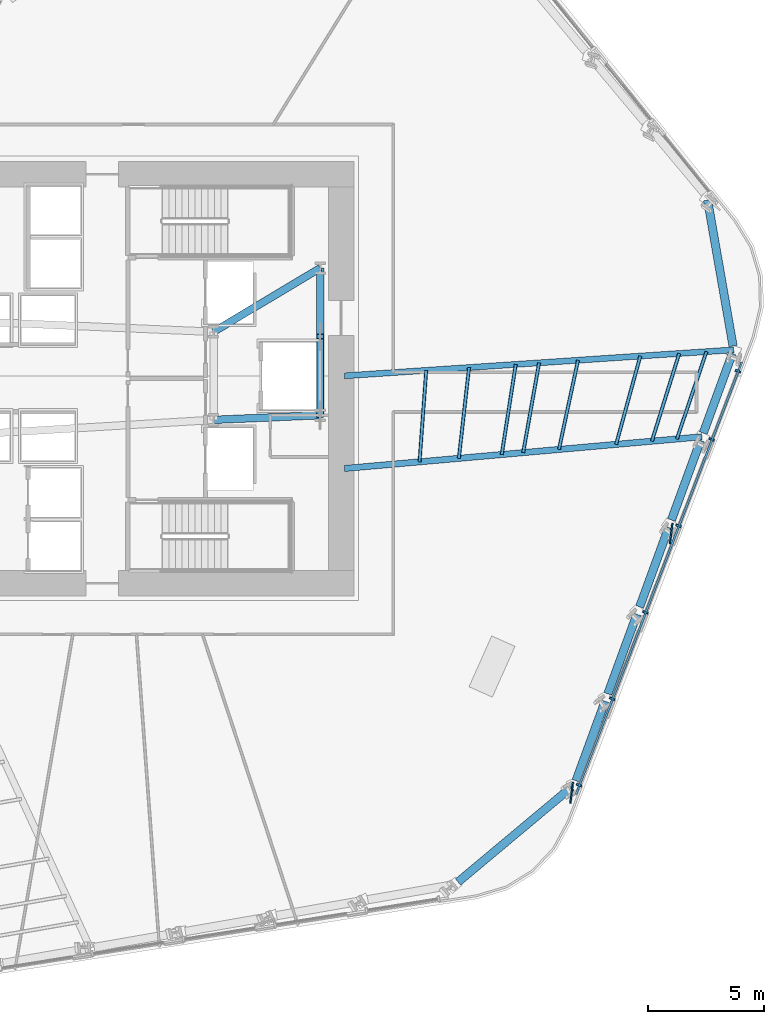
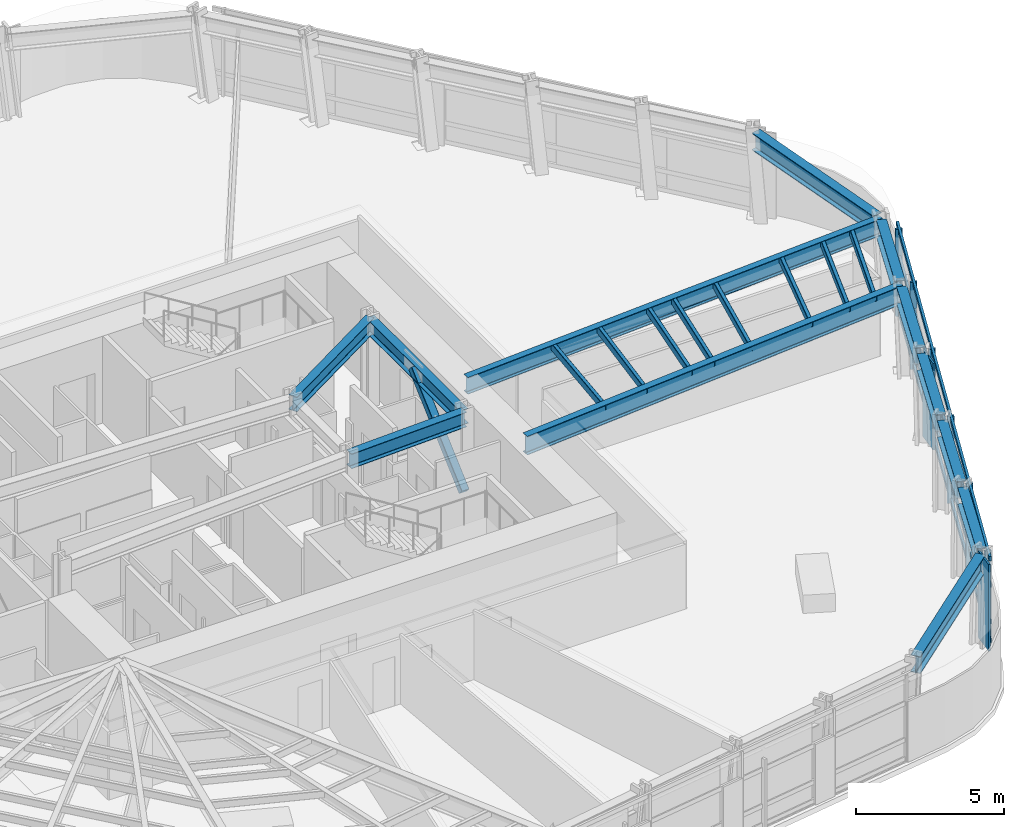
# One storey, part 4 of 16: 21 members, 12 beams, 1 element without a shape of its own.
"""IFC4 building model written with IfcOpenShell, lengths in metres."""

from ifc_helpers import new_model, si_unit, direction, frame, origin, origin_2d, place, context, subcontext, project, spatial, rectangle, hollow_rectangle, i_section, extrude, material, layer, layer_set, material_profile, profile_set, type_object, element, aggregate, save


model = new_model("IFC4")

# Units and contexts
model_context = context("Model", 3, precision=1e-05, world=origin(), true_north=direction((0.0, 1.0)))
body_context = subcontext(model_context, "Body", "Model", "MODEL_VIEW")
ifc_project = project(units=[si_unit("LENGTHUNIT", "METRE"), si_unit("AREAUNIT", "SQUARE_METRE"), si_unit("VOLUMEUNIT", "CUBIC_METRE"), si_unit("PLANEANGLEUNIT", "RADIAN"), si_unit("MASSUNIT", "GRAM", prefix="KILO")], contexts=[model_context])

# Site, building, storey
site_placement = place(None, origin())
site = spatial("IfcSite", under=ifc_project, at=site_placement, CompositionType="ELEMENT")
building_placement = place(site_placement, origin())
building = spatial("IfcBuilding", under=site, at=building_placement, Name="Valkerne Bourse Tower", CompositionType="ELEMENT")
storey_placement = place(building_placement, frame((0.0, 0.0, 62.0)))
storey = spatial("IfcBuildingStorey", under=building, at=storey_placement, Name="L15", CompositionType="ELEMENT", Elevation=62.0)

# Beams
ifc_material_1 = material(Name="Steel ASTM A992", Category="steel")
ifc_material_profile_1 = material_profile(ifc_material_1, i_section(OverallWidth=0.3251953125, OverallDepth=0.612060546875, WebThickness=0.0126953125, FlangeThickness=0.01904296875, FilletRadius=0.020263671875, at=origin_2d()), Name="W24X104")
ifc_profile_set_1 = profile_set([ifc_material_profile_1], Name="Steel ASTM A992")
beam_type_1 = type_object("IfcBeamType", Name="BM-W24X104", PredefinedType="BEAM", material=ifc_profile_set_1)
beam_1_placement = place(storey_placement, frame((50.35009765625, 25.10009765625, 3.27392578125), z_axis=(0.999056558506, 0.043428019819, 0.0), x_axis=(-0.043428019819, 0.999056558506, 0.0)))
element("IfcBeam", 1, at=beam_1_placement, inside=storey, type_object=beam_type_1, Name="L15 Core Frame Girder CG-SE", PredefinedType="BEAM", context=body_context, shape_type="SweptSolid", body=[
    extrude(i_section(OverallWidth=0.3251953125, OverallDepth=0.612060546875, WebThickness=0.0126953125, FlangeThickness=0.01904296875, FilletRadius=0.020263671875, at=origin_2d()), origin(), (0.0, 0.0, 1.0), 4.604248046875),
])
beam_2_placement = place(storey_placement, frame((50.35009765625, 28.89990234375, 3.27392578125), z_axis=(0.858307823492, 0.513135148019, 0.0), x_axis=(-0.513135148019, 0.858307823492, 0.0)))
element("IfcBeam", 2, at=beam_2_placement, inside=storey, type_object=beam_type_1, Name="L15 Core Frame Girder CG-NE", PredefinedType="BEAM", context=body_context, shape_type="SweptSolid", body=[
    extrude(i_section(OverallWidth=0.3251953125, OverallDepth=0.612060546875, WebThickness=0.0126953125, FlangeThickness=0.01904296875, FilletRadius=0.020263671875, at=origin_2d()), origin(), (0.0, 0.0, 1.0), 5.359130859375),
])
beam_3_placement = place(storey_placement, frame((54.949951171875, 25.300048828125, 3.27392578125), z_axis=(0.0, 1.0, 0.0), x_axis=(-1.0, 0.0, 0.0)))
element("IfcBeam", 3, at=beam_3_placement, inside=storey, type_object=beam_type_1, Name="L15 Core Frame Girder CG-EE", PredefinedType="BEAM", context=body_context, shape_type="SweptSolid", body=[
    extrude(i_section(OverallWidth=0.3251953125, OverallDepth=0.612060546875, WebThickness=0.0126953125, FlangeThickness=0.01904296875, FilletRadius=0.020263671875, at=origin_2d()), origin(), (0.0, 0.0, 1.0), 6.349853515625),
])
ifc_material_profile_2 = material_profile(ifc_material_1, i_section(OverallWidth=0.255859375, OverallDepth=0.693359375, WebThickness=0.014404296875, FlangeThickness=0.023681640625, FilletRadius=0.02294921875, at=origin_2d()), Name="W27X114")
ifc_profile_set_2 = profile_set([ifc_material_profile_2], Name="Steel ASTM A992")
beam_type_2 = type_object("IfcBeamType", Name="BM-W27X114", PredefinedType="BEAM", material=ifc_profile_set_2)
beam_4_placement = place(storey_placement, frame((72.8017578125, 28.122802734375, 3.2333984375), z_axis=(-0.997774560165, -0.066677785559, 0.0), x_axis=(0.066677785559, -0.997774560165, 0.0)))
element("IfcBeam", 4, at=beam_4_placement, inside=storey, type_object=beam_type_2, Name="L15 Radial Composite Floor Beam 35", PredefinedType="BEAM", context=body_context, shape_type="SweptSolid", body=[
    extrude(i_section(OverallWidth=0.255859375, OverallDepth=0.693359375, WebThickness=0.014404296875, FlangeThickness=0.023681640625, FilletRadius=0.02294921875, at=origin_2d()), origin(), (0.0, 0.0, 1.0), 16.839111328125),
])
ifc_material_profile_3 = material_profile(ifc_material_1, i_section(OverallWidth=0.358154296875, OverallDepth=0.7060546875, WebThickness=0.018310546875, FlangeThickness=0.0302734375, FilletRadius=0.02294921875, at=origin_2d()), Name="W27X178")
ifc_profile_set_3 = profile_set([ifc_material_profile_3], Name="Steel ASTM A992")
beam_type_3 = type_object("IfcBeamType", Name="BM-W27X178", PredefinedType="SPANDREL", material=ifc_profile_set_3)
beam_5_placement = place(storey_placement, frame((60.903564453125, 5.152099609375, 3.22705078125), z_axis=(0.767149008473, 0.641468938296, 0.0), x_axis=(-0.641468938296, 0.767149008473, 0.0)))
element("IfcBeam", 5, at=beam_5_placement, inside=storey, type_object=beam_type_3, Name="L15 Hexagonal Spandrel Ring Beam 29", PredefinedType="SPANDREL", context=body_context, shape_type="SweptSolid", body=[
    extrude(i_section(OverallWidth=0.358154296875, OverallDepth=0.7060546875, WebThickness=0.018310546875, FlangeThickness=0.0302734375, FilletRadius=0.02294921875, at=origin_2d()), origin(), (0.0, 0.0, 1.0), 6.38916015625),
])
beam_6_placement = place(storey_placement, frame((65.99365234375, 9.51904296875, 3.22705078125), z_axis=(0.343677764455, 0.939087639264, 0.0), x_axis=(-0.939087639264, 0.343677764455, 0.0)))
element("IfcBeam", 6, at=beam_6_placement, inside=storey, type_object=beam_type_3, Name="L15 Hexagonal Spandrel Ring Beam 30", PredefinedType="SPANDREL", context=body_context, shape_type="SweptSolid", body=[
    extrude(i_section(OverallWidth=0.358154296875, OverallDepth=0.7060546875, WebThickness=0.018310546875, FlangeThickness=0.0302734375, FilletRadius=0.02294921875, at=origin_2d()), origin(), (0.0, 0.0, 1.0), 3.65625),
])
for number, where, z_axis, x_axis, name in (
    (7, (67.366943359375, 13.271728515625, 3.22705078125), (0.343699316091, 0.939079751735, 0.0), (-0.939079751735, 0.343699316091, 0.0), "L15 Hexagonal Spandrel Ring Beam 31"),
    (8, (68.740234375, 17.0244140625, 3.22705078125), (0.343640425704, 0.93910130328, 0.0), (-0.93910130328, 0.343640425704, 0.0), "L15 Hexagonal Spandrel Ring Beam 32"),
    (9, (70.113525390625, 20.777099609375, 3.22705078125), (0.343699316091, 0.939079751735, 0.0), (-0.939079751735, 0.343699316091, 0.0), "L15 Hexagonal Spandrel Ring Beam 33"),
):
    element("IfcBeam", number, at=place(storey_placement, frame(where, z_axis=z_axis, x_axis=x_axis)), inside=storey, type_object=beam_type_3, Name=name, PredefinedType="SPANDREL", context=body_context, shape_type="SweptSolid", body=[
        extrude(i_section(OverallWidth=0.358154296875, OverallDepth=0.7060546875, WebThickness=0.018310546875, FlangeThickness=0.0302734375, FilletRadius=0.02294921875, at=origin_2d()), origin(), (0.0, 0.0, 1.0), 3.656005859375),
    ])
beam_7_placement = place(storey_placement, frame((71.48681640625, 24.529541015625, 3.22705078125), z_axis=(0.343677764455, 0.939087639264, 0.0), x_axis=(-0.939087639264, 0.343677764455, 0.0)))
element("IfcBeam", 10, at=beam_7_placement, inside=storey, type_object=beam_type_3, Name="L15 Hexagonal Spandrel Ring Beam 34", PredefinedType="SPANDREL", context=body_context, shape_type="SweptSolid", body=[
    extrude(i_section(OverallWidth=0.358154296875, OverallDepth=0.7060546875, WebThickness=0.018310546875, FlangeThickness=0.0302734375, FilletRadius=0.02294921875, at=origin_2d()), origin(), (0.0, 0.0, 1.0), 3.65625),
])
beam_8_placement = place(storey_placement, frame((72.7724609375, 28.290283203125, 3.22705078125), z_axis=(-0.17192332492, 0.985110334099, 0.0), x_axis=(-0.985110334099, -0.17192332492, 0.0)))
element("IfcBeam", 11, at=beam_8_placement, inside=storey, type_object=beam_type_3, Name="L15 Hexagonal Spandrel Ring Beam 35", PredefinedType="SPANDREL", context=body_context, shape_type="SweptSolid", body=[
    extrude(i_section(OverallWidth=0.358154296875, OverallDepth=0.7060546875, WebThickness=0.018310546875, FlangeThickness=0.0302734375, FilletRadius=0.02294921875, at=origin_2d()), origin(), (0.0, 0.0, 1.0), 6.388916015625),
])
ifc_material_profile_4 = material_profile(ifc_material_1, i_section(OverallWidth=0.26806640625, OverallDepth=0.76953125, WebThickness=0.015625, FlangeThickness=0.025390625, FilletRadius=0.025390625, at=origin_2d()), Name="W30X132")
ifc_profile_set_4 = profile_set([ifc_material_profile_4], Name="Steel ASTM A992")
beam_type_4 = type_object("IfcBeamType", Name="BM-W30X132", PredefinedType="BEAM", material=ifc_profile_set_4)
beam_9_placement = place(storey_placement, frame((71.428466796875, 24.3701171875, 3.1953125), z_axis=(-0.996080050982, -0.088456384937, 0.0), x_axis=(0.088456384937, -0.996080050982, 0.0)))
element("IfcBeam", 12, at=beam_9_placement, inside=storey, type_object=beam_type_4, Name="L15 Radial Composite Floor Beam 34", PredefinedType="BEAM", context=body_context, shape_type="SweptSolid", body=[
    extrude(i_section(OverallWidth=0.26806640625, OverallDepth=0.76953125, WebThickness=0.015625, FlangeThickness=0.025390625, FilletRadius=0.025390625, at=origin_2d()), origin(), (0.0, 0.0, 1.0), 15.4892578125),
])

# Curtain wall, members
ifc_material_2 = material(Name="Aluminium AA 6063-T6", Category="aluminium")
ifc_layer = layer(ifc_material_2, 0.22509765625)
ifc_layer_set = layer_set([ifc_layer], Name="Aluminium AA 6063-T6")
curtain_wall_type = type_object("IfcCurtainWallType", Name="CW-01", PredefinedType="NOTDEFINED", material=ifc_layer_set)
curtain_wall_placement = place(storey_placement, origin())
curtain_wall = element("IfcCurtainWall", 13, at=curtain_wall_placement, inside=storey, type_object=curtain_wall_type, Name="L15 Hexagonal Stick Curtain Wall Face 6", PredefinedType="NOTDEFINED")
ifc_material_profile_5 = material_profile(ifc_material_2, rectangle(XDim=0.090087890625, YDim=0.239990234375, at=origin_2d()), Name="CWM-90X240")
ifc_profile_set_5 = profile_set([ifc_material_profile_5], Name="Aluminium AA 6063-T6")
member_type_1 = type_object("IfcMemberType", Name="CW-MUL-240X90", PredefinedType="MULLION", material=ifc_profile_set_5)
member_1_placement = place(storey_placement, frame((66.123779296875, 9.33154296875, 0.0), z_axis=(0.0, 0.0, 1.0), x_axis=(0.358366906367, 0.933580826935, 0.0)))
member_1 = element("IfcMember", 14, at=member_1_placement, type_object=member_type_1, Name="CW-L15-F6 Jamb Mullion 00A", PredefinedType="MULLION", context=body_context, shape_type="SweptSolid", body=[
    extrude(rectangle(XDim=0.090087890625, YDim=0.239990234375, at=origin_2d()), origin(), (0.0, 0.0, 1.0), 3.580078125),
])
member_2_placement = place(storey_placement, frame((67.555908203125, 13.06201171875, 0.0), z_axis=(0.0, 0.0, 1.0), x_axis=(0.358380344872, 0.933575668283, 0.0)))
member_2 = element("IfcMember", 15, at=member_2_placement, type_object=member_type_1, Name="CW-L15-F6 Jamb Mullion 01A", PredefinedType="MULLION", context=body_context, shape_type="SweptSolid", body=[
    extrude(rectangle(XDim=0.090087890625, YDim=0.239990234375, at=origin_2d()), origin(), (0.0, 0.0, 1.0), 3.580078125),
])
member_3_placement = place(storey_placement, frame((68.98779296875, 16.79248046875, 0.0), z_axis=(0.0, 0.0, 1.0), x_axis=(0.358358533862, 0.933584040785, 0.0)))
member_3 = element("IfcMember", 16, at=member_3_placement, type_object=member_type_1, Name="CW-L15-F6 Jamb Mullion 02A", PredefinedType="MULLION", context=body_context, shape_type="SweptSolid", body=[
    extrude(rectangle(XDim=0.090087890625, YDim=0.239990234375, at=origin_2d()), origin(), (0.0, 0.0, 1.0), 3.580078125),
])
member_4_placement = place(storey_placement, frame((70.419921875, 20.523193359375, 0.0), z_axis=(0.0, 0.0, 1.0), x_axis=(0.358380344872, 0.933575668283, 0.0)))
member_4 = element("IfcMember", 17, at=member_4_placement, type_object=member_type_1, Name="CW-L15-F6 Jamb Mullion 03A", PredefinedType="MULLION", context=body_context, shape_type="SweptSolid", body=[
    extrude(rectangle(XDim=0.090087890625, YDim=0.239990234375, at=origin_2d()), origin(), (0.0, 0.0, 1.0), 3.580078125),
])
member_5_placement = place(storey_placement, frame((71.85205078125, 24.25390625, 0.0), z_axis=(0.0, 0.0, 1.0), x_axis=(0.358358533862, 0.933584040785, 0.0)))
member_5 = element("IfcMember", 18, at=member_5_placement, type_object=member_type_1, Name="CW-L15-F6 Jamb Mullion 04A", PredefinedType="MULLION", context=body_context, shape_type="SweptSolid", body=[
    extrude(rectangle(XDim=0.090087890625, YDim=0.239990234375, at=origin_2d()), origin(), (0.0, 0.0, 1.0), 3.580078125),
])
member_6_placement = place(storey_placement, frame((72.98291015625, 27.2001953125, 0.0), z_axis=(0.0, 0.0, 1.0), x_axis=(0.358358533862, 0.933584040785, 0.0)))
member_6 = element("IfcMember", 19, at=member_6_placement, type_object=member_type_1, Name="CW-L15-F6 Jamb Mullion 04B", PredefinedType="MULLION", context=body_context, shape_type="SweptSolid", body=[
    extrude(rectangle(XDim=0.090087890625, YDim=0.239990234375, at=origin_2d()), origin(), (0.0, 0.0, 1.0), 3.580078125),
])
ifc_material_profile_6 = material_profile(ifc_material_2, rectangle(XDim=0.090087890625, YDim=0.179931640625, at=origin_2d()), Name="CWT-90X180")
ifc_profile_set_6 = profile_set([ifc_material_profile_6], Name="Aluminium AA 6063-T6")
member_type_2 = type_object("IfcMemberType", Name="CW-TRN-180X90", PredefinedType="USERDEFINED", material=ifc_profile_set_6)
member_7_placement = place(storey_placement, frame((65.991943359375, 8.93212890625, 0.1201171875), z_axis=(0.358364074376, 0.933581914026, 0.0), x_axis=(-0.933581914026, 0.358364074376, 0.0)))
member_7 = element("IfcMember", 20, at=member_7_placement, type_object=member_type_2, Name="CW-L15-F6 Continuous Face Transom 1", ObjectType="TRANSOM", PredefinedType="USERDEFINED", context=body_context, shape_type="SweptSolid", body=[
    extrude(rectangle(XDim=0.090087890625, YDim=0.179931640625, at=origin_2d()), origin(), (0.0, 0.0, 1.0), 19.980224609375),
])
member_8_placement = place(storey_placement, frame((65.991943359375, 8.93212890625, 0.89990234375), z_axis=(0.358364074376, 0.933581914026, 0.0), x_axis=(-0.933581914026, 0.358364074376, 0.0)))
member_8 = element("IfcMember", 21, at=member_8_placement, type_object=member_type_2, Name="CW-L15-F6 Continuous Face Transom 2", ObjectType="TRANSOM", PredefinedType="USERDEFINED", context=body_context, shape_type="SweptSolid", body=[
    extrude(rectangle(XDim=0.090087890625, YDim=0.179931640625, at=origin_2d()), origin(), (0.0, 0.0, 1.0), 19.980224609375),
])
member_9_placement = place(storey_placement, frame((65.991943359375, 8.93212890625, 2.39990234375), z_axis=(0.358364074376, 0.933581914026, 0.0), x_axis=(-0.933581914026, 0.358364074376, 0.0)))
member_9 = element("IfcMember", 22, at=member_9_placement, type_object=member_type_2, Name="CW-L15-F6 Continuous Face Transom 3", ObjectType="TRANSOM", PredefinedType="USERDEFINED", context=body_context, shape_type="SweptSolid", body=[
    extrude(rectangle(XDim=0.090087890625, YDim=0.179931640625, at=origin_2d()), origin(), (0.0, 0.0, 1.0), 19.980224609375),
])
member_10_placement = place(storey_placement, frame((65.991943359375, 8.93212890625, 3.5), z_axis=(0.358364074376, 0.933581914026, 0.0), x_axis=(-0.933581914026, 0.358364074376, 0.0)))
member_10 = element("IfcMember", 23, at=member_10_placement, type_object=member_type_2, Name="CW-L15-F6 Continuous Face Transom 4", ObjectType="TRANSOM", PredefinedType="USERDEFINED", context=body_context, shape_type="SweptSolid", body=[
    extrude(rectangle(XDim=0.090087890625, YDim=0.179931640625, at=origin_2d()), origin(), (0.0, 0.0, 1.0), 19.980224609375),
])
aggregate(curtain_wall, [member_7, member_8, member_9, member_10, member_1, member_2, member_3, member_4, member_5, member_6])

# Members
ifc_material_3 = material(Name="Bronze Anodised Aluminium AA 6063-T6", Category="aluminium")
ifc_material_profile_7 = material_profile(ifc_material_3, rectangle(XDim=0.070068359375, YDim=0.89990234375, at=origin_2d()), Name="FIN-70X900")
ifc_profile_set_7 = profile_set([ifc_material_profile_7], Name="Bronze Anodised Aluminium AA 6063-T6")
member_type_3 = type_object("IfcMemberType", Name="FIN-SOLAR-900", PredefinedType="USERDEFINED", material=ifc_profile_set_7)
for number, where, z_axis, x_axis, name in (
    (24, (65.805419921875, 9.00390625, 0.00390625), (0.0, 0.0, 1.0), (0.992536079282, -0.121951348186, 0.0), "L15 Bronze Anodised Solar Fin F6-00"),
    (25, (70.101318359375, 20.195556640625, 0.00390625), (0.0, 0.0, 1.0), (0.992534334962, -0.121965543992, 0.0), "L15 Bronze Anodised Solar Fin F6-03"),
):
    element("IfcMember", number, at=place(storey_placement, frame(where, z_axis=z_axis, x_axis=x_axis)), inside=storey, type_object=member_type_3, Name=name, ObjectType="SOLAR_FIN", PredefinedType="USERDEFINED", context=body_context, shape_type="SweptSolid", body=[
        extrude(rectangle(XDim=0.070068359375, YDim=0.89990234375, at=origin_2d()), origin(), (0.0, 0.0, 1.0), 3.572021484375),
    ])
ifc_material_4 = material(Name="Steel ASTM A500 Grade C", Category="steel")
ifc_material_profile_8 = material_profile(ifc_material_4, hollow_rectangle(XDim=0.14990234375, YDim=0.300048828125, WallThickness=0.012451171875, OuterFilletRadius=0.02490234375, at=origin_2d()), Name="HSS300X150X12.5")
ifc_profile_set_8 = profile_set([ifc_material_profile_8], Name="Steel ASTM A500 Grade C")
member_type_4 = type_object("IfcMemberType", Name="MBR-HSS300X150X12.5", PredefinedType="PURLIN", material=ifc_profile_set_8)
member_11_placement = place(storey_placement, frame((60.93701171875, 23.4384765625, 3.419921875), z_axis=(0.111382300052, 0.99377763269, 0.0), x_axis=(-0.99377763269, 0.111382300052, 0.0)))
element("IfcMember", 26, at=member_11_placement, inside=storey, type_object=member_type_4, Name="L15 Secondary Composite Floor Purlin I-34", PredefinedType="PURLIN", context=body_context, shape_type="SweptSolid", body=[
    extrude(hollow_rectangle(XDim=0.14990234375, YDim=0.300048828125, WallThickness=0.012451171875, OuterFilletRadius=0.02490234375, at=origin_2d()), origin(), (0.0, 0.0, 1.0), 3.945556640625),
])
member_12_placement = place(storey_placement, frame((62.78857421875, 23.602783203125, 3.419921875), z_axis=(0.153389521718, 0.988165803207, 0.0), x_axis=(-0.988165803207, 0.153389521718, 0.0)))
element("IfcMember", 27, at=member_12_placement, inside=storey, type_object=member_type_4, Name="L15 Secondary Composite Floor Purlin K-34", PredefinedType="PURLIN", context=body_context, shape_type="SweptSolid", body=[
    extrude(hollow_rectangle(XDim=0.14990234375, YDim=0.300048828125, WallThickness=0.012451171875, OuterFilletRadius=0.02490234375, at=origin_2d()), origin(), (0.0, 0.0, 1.0), 3.937744140625),
])
member_13_placement = place(storey_placement, frame((63.714111328125, 23.68505859375, 3.419921875), z_axis=(0.174457505303, 0.984664703766, 0.0), x_axis=(-0.984664703766, 0.174457505303, 0.0)))
element("IfcMember", 28, at=member_13_placement, inside=storey, type_object=member_type_4, Name="L15 Secondary Composite Floor Purlin M-34", PredefinedType="PURLIN", context=body_context, shape_type="SweptSolid", body=[
    extrude(hollow_rectangle(XDim=0.14990234375, YDim=0.300048828125, WallThickness=0.012451171875, OuterFilletRadius=0.02490234375, at=origin_2d()), origin(), (0.0, 0.0, 1.0), 3.9365234375),
])
member_14_placement = place(storey_placement, frame((67.7255859375, 24.041259765625, 3.419921875), z_axis=(0.264073786655, 0.964502480661, 0.0), x_axis=(-0.964502480661, 0.264073786655, 0.0)))
element("IfcMember", 29, at=member_14_placement, inside=storey, type_object=member_type_4, Name="L15 Secondary Composite Floor Purlin O-34", PredefinedType="PURLIN", context=body_context, shape_type="SweptSolid", body=[
    extrude(hollow_rectangle(XDim=0.14990234375, YDim=0.300048828125, WallThickness=0.012451171875, OuterFilletRadius=0.02490234375, at=origin_2d()), origin(), (0.0, 0.0, 1.0), 3.952392578125),
])
member_15_placement = place(storey_placement, frame((65.257080078125, 23.822021484375, 3.419921875), z_axis=(0.209198894032, 0.977873111777, 0.0), x_axis=(-0.977873111777, 0.209198894032, 0.0)))
element("IfcMember", 30, at=member_15_placement, inside=storey, type_object=member_type_4, Name="L15 Secondary Composite Floor Purlin Z-34", PredefinedType="PURLIN", context=body_context, shape_type="SweptSolid", body=[
    extrude(hollow_rectangle(XDim=0.14990234375, YDim=0.300048828125, WallThickness=0.012451171875, OuterFilletRadius=0.02490234375, at=origin_2d()), origin(), (0.0, 0.0, 1.0), 3.938720703125),
])
member_16_placement = place(storey_placement, frame((59.239990234375, 23.28759765625, 3.419921875), z_axis=(0.072833502237, 0.99734411361, 0.0), x_axis=(-0.99734411361, 0.072833502237, 0.0)))
element("IfcMember", 31, at=member_16_placement, inside=storey, type_object=member_type_4, Name="L15 Secondary Composite Floor Purlin S-34", PredefinedType="PURLIN", context=body_context, shape_type="SweptSolid", body=[
    extrude(hollow_rectangle(XDim=0.14990234375, YDim=0.300048828125, WallThickness=0.012451171875, OuterFilletRadius=0.02490234375, at=origin_2d()), origin(), (0.0, 0.0, 1.0), 3.958740234375),
])
member_17_placement = place(storey_placement, frame((69.268310546875, 24.17822265625, 3.419921875), z_axis=(0.297724817191, 0.954651734, 0.0), x_axis=(-0.954651734, 0.297724817191, 0.0)))
element("IfcMember", 32, at=member_17_placement, inside=storey, type_object=member_type_4, Name="L15 Secondary Composite Floor Purlin T-34", PredefinedType="PURLIN", context=body_context, shape_type="SweptSolid", body=[
    extrude(hollow_rectangle(XDim=0.14990234375, YDim=0.300048828125, WallThickness=0.012451171875, OuterFilletRadius=0.02490234375, at=origin_2d()), origin(), (0.0, 0.0, 1.0), 3.96728515625),
])
member_18_placement = place(storey_placement, frame((70.348388671875, 24.274169921875, 3.419921875), z_axis=(0.320842531797, 0.947132551331, 0.0), x_axis=(-0.947132551331, 0.320842531797, 0.0)))
element("IfcMember", 33, at=member_18_placement, inside=storey, type_object=member_type_4, Name="L15 Secondary Composite Floor Purlin U-34", PredefinedType="PURLIN", context=body_context, shape_type="SweptSolid", body=[
    extrude(hollow_rectangle(XDim=0.14990234375, YDim=0.300048828125, WallThickness=0.012451171875, OuterFilletRadius=0.02490234375, at=origin_2d()), origin(), (0.0, 0.0, 1.0), 3.98046875),
])
ifc_material_profile_9 = material_profile(ifc_material_4, hollow_rectangle(XDim=0.300048828125, YDim=0.300048828125, WallThickness=0.012451171875, OuterFilletRadius=0.02490234375, at=origin_2d()), Name="HSS300X300X12.5")
ifc_profile_set_9 = profile_set([ifc_material_profile_9], Name="Steel ASTM A500 Grade C")
member_type_5 = type_object("IfcMemberType", Name="MBR-HSS300X300X12.5", PredefinedType="STRUT", material=ifc_profile_set_9)
member_19_placement = place(storey_placement, frame((54.949951171875, 25.300048828125, 0.219970703125), z_axis=(0.0, 0.743941933778, 0.668244266094), x_axis=(-1.0, 0.0, 0.0)))
element("IfcMember", 34, at=member_19_placement, inside=storey, type_object=member_type_5, Name="L15 Core Service Pier Lateral Brace", PredefinedType="STRUT", context=body_context, shape_type="SweptSolid", body=[
    extrude(hollow_rectangle(XDim=0.300048828125, YDim=0.300048828125, WallThickness=0.012451171875, OuterFilletRadius=0.02490234375, at=origin_2d()), origin(), (0.0, 0.0, 1.0), 4.570068359375),
])

save(model, "model.ifc")
